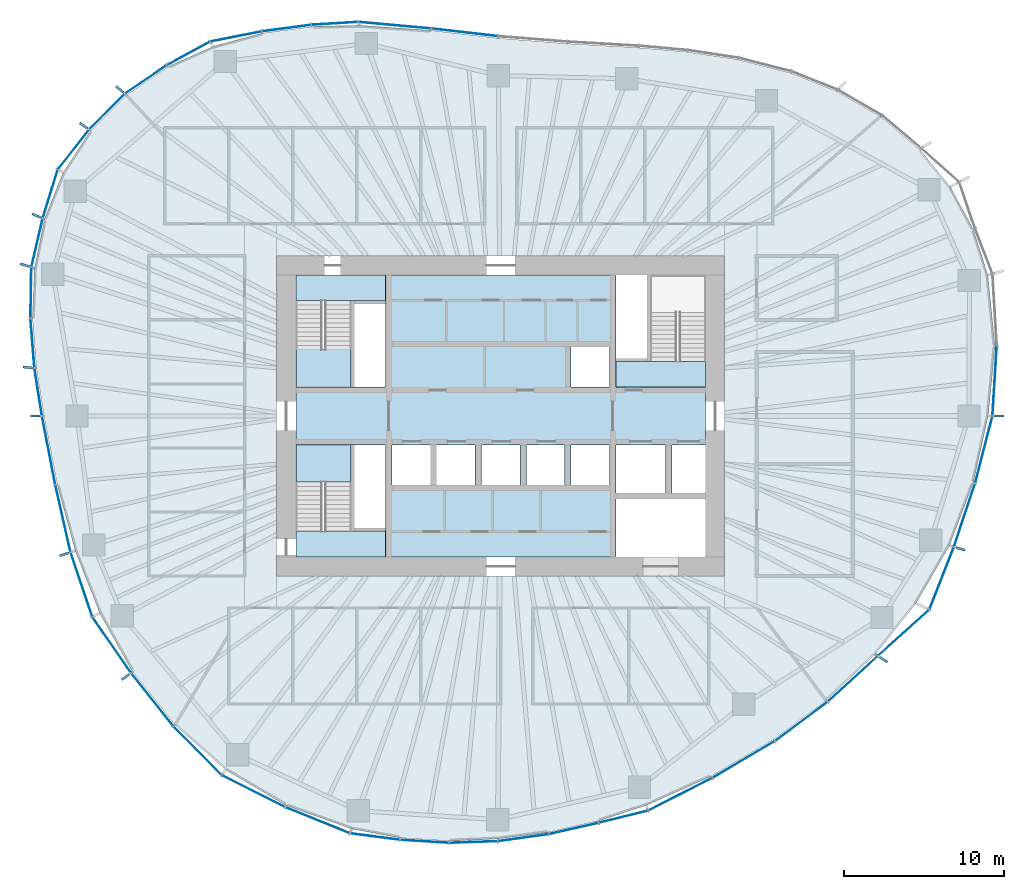
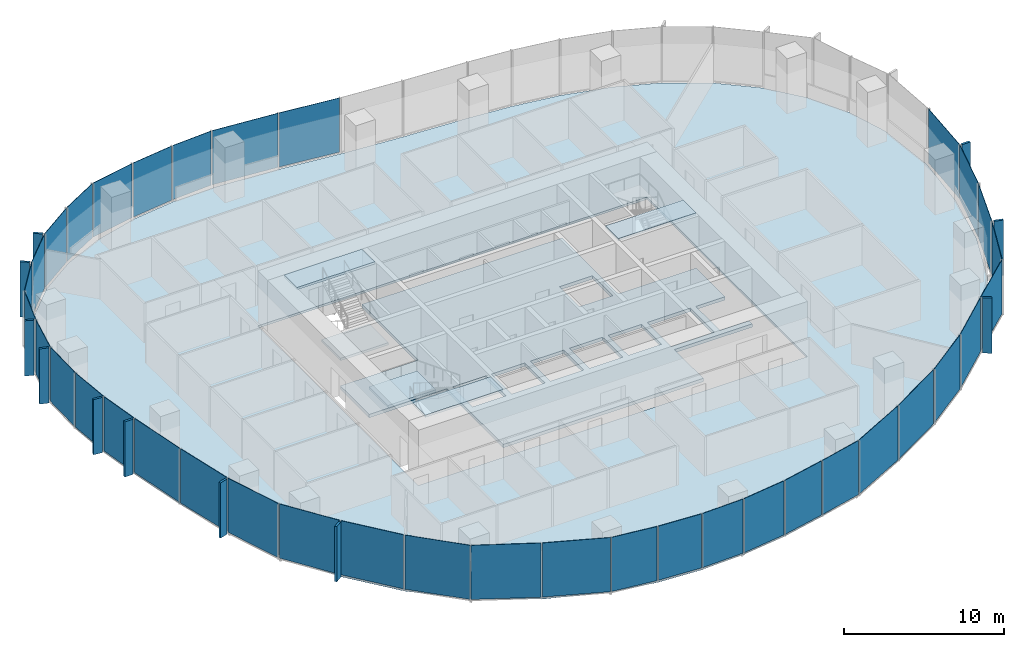
# One storey, part 7 of 18: 48 plates, 7 slabs, 19 elements without a shape of their own.
"""IFC4 building model written with IfcOpenShell, lengths in metres."""

from ifc_helpers import new_model, si_unit, direction, frame, origin, origin_2d, place, context, subcontext, project, spatial, polyline, rectangle, outline, extrude, material, layer, layer_set, type_object, element, aggregate, save


model = new_model("IFC4")

# Units and contexts
model_context = context("Model", 3, precision=1e-05, world=origin(), true_north=direction((0.0, 1.0)))
body_context = subcontext(model_context, "Body", "Model", "MODEL_VIEW")
ifc_project = project(units=[si_unit("LENGTHUNIT", "METRE"), si_unit("AREAUNIT", "SQUARE_METRE"), si_unit("VOLUMEUNIT", "CUBIC_METRE"), si_unit("PLANEANGLEUNIT", "RADIAN"), si_unit("MASSUNIT", "GRAM", prefix="KILO")], contexts=[model_context])

# Site, building, storey
site_placement = place(None, origin())
site = spatial("IfcSite", under=ifc_project, at=site_placement, CompositionType="ELEMENT")
building_placement = place(site_placement, origin())
building = spatial("IfcBuilding", under=site, at=building_placement, Name="Ghaith Harvest Tower", CompositionType="ELEMENT")
storey_placement = place(building_placement, frame((0.0, 0.0, 168.0)))
storey = spatial("IfcBuildingStorey", under=building, at=storey_placement, Name="L36", CompositionType="ELEMENT", Elevation=168.0)

# Curtain wall, plate
ifc_material_1 = material(Name="Black anodised aluminium and fritted glass", Category="aluminium")
curtain_wall_type = type_object("IfcCurtainWallType", Name="CW-L CURTAIN WALL", PredefinedType="NOTDEFINED", material=ifc_material_1)
curtain_wall_1_placement = place(storey_placement, origin())
curtain_wall_1 = element("IfcCurtainWall", 1, at=curtain_wall_1_placement, inside=storey, type_object=curtain_wall_type, Name="Curtain wall CW-L bay 01 L36", PredefinedType="NOTDEFINED")
ifc_material_2 = material(Name="Glass, dark solar-control fritted double glazed unit", Category="glass")
ifc_layer_1 = layer(ifc_material_2, 0.031982421875)
ifc_layer_set_1 = layer_set([ifc_layer_1], Name="CW-L VISION PANEL")
plate_type_1 = type_object("IfcPlateType", Name="CW-L VISION PANEL", PredefinedType="CURTAIN_PANEL", material=ifc_layer_set_1)
plate_1_placement = place(storey_placement, frame((30.86376953125, 2.19482421875, 0.079833984375), z_axis=(0.0, 0.0, 1.0), x_axis=(0.061379619468, 0.99811449359, 0.0)))
plate_1 = element("IfcPlate", 2, at=plate_1_placement, type_object=plate_type_1, Name="CW-L glass unit 1 bay 01 L36", PredefinedType="CURTAIN_PANEL", context=body_context, shape_type="SweptSolid", body=[
    extrude(rectangle(XDim=4.318115234375, YDim=0.031982421875, at=origin_2d()), origin(), (0.0, 0.0, 1.0), 4.1201171875),
])
aggregate(curtain_wall_1, [plate_1])

# Curtain wall, plates
curtain_wall_2_placement = place(storey_placement, origin())
curtain_wall_2 = element("IfcCurtainWall", 3, at=curtain_wall_2_placement, inside=storey, type_object=curtain_wall_type, Name="Curtain wall CW-L bay 06 L36", PredefinedType="NOTDEFINED")
plate_2_placement = place(storey_placement, frame((-2.24267578125, 23.968505859375, 0.079833984375), z_axis=(0.0, 0.0, 1.0), x_axis=(-0.993477024646, 0.114032458099, 0.0)))
plate_2 = element("IfcPlate", 4, at=plate_2_placement, type_object=plate_type_1, Name="CW-L glass unit 1 bay 06 L36", PredefinedType="CURTAIN_PANEL", context=body_context, shape_type="SweptSolid", body=[
    extrude(rectangle(XDim=4.10791015625, YDim=0.031982421875, at=origin_2d()), origin(), (0.0, 0.0, 1.0), 4.1201171875),
])
plate_3_placement = place(storey_placement, frame((-6.607666015625, 24.4140625, 0.079833984375), z_axis=(0.0, 0.0, 1.0), x_axis=(-0.995928776302, 0.090143621701, 0.0)))
plate_3 = element("IfcPlate", 5, at=plate_3_placement, type_object=plate_type_1, Name="CW-L glass unit 2 bay 06 L36", PredefinedType="CURTAIN_PANEL", context=body_context, shape_type="SweptSolid", body=[
    extrude(rectangle(XDim=4.508056640625, YDim=0.031982421875, at=origin_2d()), origin(), (0.0, 0.0, 1.0), 4.1201171875),
])
aggregate(curtain_wall_2, [plate_2, plate_3])

curtain_wall_3_placement = place(storey_placement, origin())
curtain_wall_3 = element("IfcCurtainWall", 6, at=curtain_wall_3_placement, inside=storey, type_object=curtain_wall_type, Name="Curtain wall CW-L bay 07 L36", PredefinedType="NOTDEFINED")
plate_4_placement = place(storey_placement, frame((-10.36669921875, 24.5302734375, 0.079833984375), z_axis=(0.0, 0.0, 1.0), x_axis=(-0.998119199641, -0.061303044853, 0.0)))
plate_4 = element("IfcPlate", 7, at=plate_4_placement, type_object=plate_type_1, Name="CW-L glass unit 1 bay 07 L36", PredefinedType="CURTAIN_PANEL", context=body_context, shape_type="SweptSolid", body=[
    extrude(rectangle(XDim=2.874267578125, YDim=0.031982421875, at=origin_2d()), origin(), (0.0, 0.0, 1.0), 4.1201171875),
])
plate_5_placement = place(storey_placement, frame((-13.382568359375, 24.23486328125, 0.079833984375), z_axis=(0.0, 0.0, 1.0), x_axis=(-0.991285895369, -0.131728029071, 0.0)))
plate_5 = element("IfcPlate", 8, at=plate_5_placement, type_object=plate_type_1, Name="CW-L glass unit 2 bay 07 L36", PredefinedType="CURTAIN_PANEL", context=body_context, shape_type="SweptSolid", body=[
    extrude(rectangle(XDim=3.02978515625, YDim=0.031982421875, at=origin_2d()), origin(), (0.0, 0.0, 1.0), 4.1201171875),
])
plate_6_placement = place(storey_placement, frame((-16.54443359375, 23.7099609375, 0.079833984375), z_axis=(0.0, 0.0, 1.0), x_axis=(-0.981037550101, -0.193817763096, 0.0)))
plate_6 = element("IfcPlate", 9, at=plate_6_placement, type_object=plate_type_1, Name="CW-L glass unit 3 bay 07 L36", PredefinedType="CURTAIN_PANEL", context=body_context, shape_type="SweptSolid", body=[
    extrude(rectangle(XDim=3.22412109375, YDim=0.031982421875, at=origin_2d()), origin(), (0.0, 0.0, 1.0), 4.1201171875),
])
aggregate(curtain_wall_3, [plate_4, plate_5, plate_6])

curtain_wall_4_placement = place(storey_placement, origin())
curtain_wall_4 = element("IfcCurtainWall", 10, at=curtain_wall_4_placement, inside=storey, type_object=curtain_wall_type, Name="Curtain wall CW-L bay 08 L36", PredefinedType="NOTDEFINED")
plate_7_placement = place(storey_placement, frame((-19.520263671875, 22.650634765625, 0.079833984375), z_axis=(0.0, 0.0, 1.0), x_axis=(-0.877940384665, -0.478769966659, 0.0)))
plate_7 = element("IfcPlate", 11, at=plate_7_placement, type_object=plate_type_1, Name="CW-L glass unit 1 bay 08 L36", PredefinedType="CURTAIN_PANEL", context=body_context, shape_type="SweptSolid", body=[
    extrude(rectangle(XDim=3.007080078125, YDim=0.031982421875, at=origin_2d()), origin(), (0.0, 0.0, 1.0), 4.1201171875),
])
plate_8_placement = place(storey_placement, frame((-22.182373046875, 21.025390625, 0.079833984375), z_axis=(0.0, 0.0, 1.0), x_axis=(-0.827674847773, -0.561207935051, 0.0)))
plate_8 = element("IfcPlate", 12, at=plate_8_placement, type_object=plate_type_1, Name="CW-L glass unit 2 bay 08 L36", PredefinedType="CURTAIN_PANEL", context=body_context, shape_type="SweptSolid", body=[
    extrude(rectangle(XDim=3.078369140625, YDim=0.031982421875, at=origin_2d()), origin(), (0.0, 0.0, 1.0), 4.1201171875),
])
plate_9_placement = place(storey_placement, frame((-24.603759765625, 19.01708984375, 0.079833984375), z_axis=(0.0, 0.0, 1.0), x_axis=(-0.704613943896, -0.709590861037, 0.0)))
plate_9 = element("IfcPlate", 13, at=plate_9_placement, type_object=plate_type_1, Name="CW-L glass unit 3 bay 08 L36", PredefinedType="CURTAIN_PANEL", context=body_context, shape_type="SweptSolid", body=[
    extrude(rectangle(XDim=3.0830078125, YDim=0.031982421875, at=origin_2d()), origin(), (0.0, 0.0, 1.0), 4.1201171875),
])
aggregate(curtain_wall_4, [plate_7, plate_8, plate_9])

curtain_wall_5_placement = place(storey_placement, origin())
curtain_wall_5 = element("IfcCurtainWall", 14, at=curtain_wall_5_placement, inside=storey, type_object=curtain_wall_type, Name="Curtain wall CW-L bay 09 L36", PredefinedType="NOTDEFINED")
plate_10_placement = place(storey_placement, frame((-26.69873046875, 16.644775390625, 0.079833984375), z_axis=(0.0, 0.0, 1.0), x_axis=(-0.617140806324, -0.786852734106, 0.0)))
plate_10 = element("IfcPlate", 15, at=plate_10_placement, type_object=plate_type_1, Name="CW-L glass unit 1 bay 09 L36", PredefinedType="CURTAIN_PANEL", context=body_context, shape_type="SweptSolid", body=[
    extrude(rectangle(XDim=3.09765625, YDim=0.031982421875, at=origin_2d()), origin(), (0.0, 0.0, 1.0), 4.1201171875),
])
plate_11_placement = place(storey_placement, frame((-28.14794921875, 13.869140625, 0.079833984375), z_axis=(0.0, 0.0, 1.0), x_axis=(-0.293802674087, -0.955866093498, 0.0)))
plate_11 = element("IfcPlate", 16, at=plate_11_placement, type_object=plate_type_1, Name="CW-L glass unit 2 bay 09 L36", PredefinedType="CURTAIN_PANEL", context=body_context, shape_type="SweptSolid", body=[
    extrude(rectangle(XDim=3.111328125, YDim=0.031982421875, at=origin_2d()), origin(), (0.0, 0.0, 1.0), 4.1201171875),
])
plate_12_placement = place(storey_placement, frame((-28.9716796875, 10.819091796875, 0.079833984375), z_axis=(0.0, 0.0, 1.0), x_axis=(-0.226698962458, -0.973964876379, 0.0)))
plate_12 = element("IfcPlate", 17, at=plate_12_placement, type_object=plate_type_1, Name="CW-L glass unit 3 bay 09 L36", PredefinedType="CURTAIN_PANEL", context=body_context, shape_type="SweptSolid", body=[
    extrude(rectangle(XDim=3.05126953125, YDim=0.031982421875, at=origin_2d()), origin(), (0.0, 0.0, 1.0), 4.1201171875),
])
aggregate(curtain_wall_5, [plate_10, plate_11, plate_12])

curtain_wall_6_placement = place(storey_placement, origin())
curtain_wall_6 = element("IfcCurtainWall", 18, at=curtain_wall_6_placement, inside=storey, type_object=curtain_wall_type, Name="Curtain wall CW-L bay 10 L36", PredefinedType="NOTDEFINED")
plate_13_placement = place(storey_placement, frame((-29.352294921875, 7.695068359375, 0.079833984375), z_axis=(0.0, 0.0, 1.0), x_axis=(-0.016034106433, -0.999871445452, 0.0)))
plate_13 = element("IfcPlate", 19, at=plate_13_placement, type_object=plate_type_1, Name="CW-L glass unit 1 bay 10 L36", PredefinedType="CURTAIN_PANEL", context=body_context, shape_type="SweptSolid", body=[
    extrude(rectangle(XDim=3.118408203125, YDim=0.031982421875, at=origin_2d()), origin(), (0.0, 0.0, 1.0), 4.1201171875),
])
plate_14_placement = place(storey_placement, frame((-29.25439453125, 4.54345703125, 0.079833984375), z_axis=(0.0, 0.0, 1.0), x_axis=(0.079273335663, -0.996852917061, 0.0)))
plate_14 = element("IfcPlate", 20, at=plate_14_placement, type_object=plate_type_1, Name="CW-L glass unit 2 bay 10 L36", PredefinedType="CURTAIN_PANEL", context=body_context, shape_type="SweptSolid", body=[
    extrude(rectangle(XDim=3.035400390625, YDim=0.031982421875, at=origin_2d()), origin(), (0.0, 0.0, 1.0), 4.1201171875),
])
plate_15_placement = place(storey_placement, frame((-28.896240234375, 1.495361328125, 0.079833984375), z_axis=(0.0, 0.0, 1.0), x_axis=(0.155172175389, -0.987887440949, 0.0)))
plate_15 = element("IfcPlate", 21, at=plate_15_placement, type_object=plate_type_1, Name="CW-L glass unit 3 bay 10 L36", PredefinedType="CURTAIN_PANEL", context=body_context, shape_type="SweptSolid", body=[
    extrude(rectangle(XDim=2.947265625, YDim=0.031982421875, at=origin_2d()), origin(), (0.0, 0.0, 1.0), 4.1201171875),
])
aggregate(curtain_wall_6, [plate_13, plate_14, plate_15])

curtain_wall_7_placement = place(storey_placement, origin())
curtain_wall_7 = element("IfcCurtainWall", 22, at=curtain_wall_7_placement, inside=storey, type_object=curtain_wall_type, Name="Curtain wall CW-L bay 11 L36", PredefinedType="NOTDEFINED")
plate_16_placement = place(storey_placement, frame((-28.24462890625, -2.152099609375, 0.079833984375), z_axis=(0.0, 0.0, 1.0), x_axis=(0.190044913274, -0.981775397399, 0.0)))
plate_16 = element("IfcPlate", 23, at=plate_16_placement, type_object=plate_type_1, Name="CW-L glass unit 1 bay 11 L36", PredefinedType="CURTAIN_PANEL", context=body_context, shape_type="SweptSolid", body=[
    extrude(rectangle(XDim=4.303955078125, YDim=0.031982421875, at=origin_2d()), origin(), (0.0, 0.0, 1.0), 4.1201171875),
])
plate_17_placement = place(storey_placement, frame((-27.351806640625, -6.41064453125, 0.079833984375), z_axis=(0.0, 0.0, 1.0), x_axis=(0.220483469245, -0.975390711351, 0.0)))
plate_17 = element("IfcPlate", 24, at=plate_17_placement, type_object=plate_type_1, Name="CW-L glass unit 2 bay 11 L36", PredefinedType="CURTAIN_PANEL", context=body_context, shape_type="SweptSolid", body=[
    extrude(rectangle(XDim=4.239501953125, YDim=0.031982421875, at=origin_2d()), origin(), (0.0, 0.0, 1.0), 4.1201171875),
])
aggregate(curtain_wall_7, [plate_16, plate_17])

curtain_wall_8_placement = place(storey_placement, origin())
curtain_wall_8 = element("IfcCurtainWall", 25, at=curtain_wall_8_placement, inside=storey, type_object=curtain_wall_type, Name="Curtain wall CW-L bay 12 L36", PredefinedType="NOTDEFINED")
plate_18_placement = place(storey_placement, frame((-26.194580078125, -10.537841796875, 0.079833984375), z_axis=(0.0, 0.0, 1.0), x_axis=(0.319477383729, -0.947593901039, 0.0)))
plate_18 = element("IfcPlate", 26, at=plate_18_placement, type_object=plate_type_1, Name="CW-L glass unit 1 bay 12 L36", PredefinedType="CURTAIN_PANEL", context=body_context, shape_type="SweptSolid", body=[
    extrude(rectangle(XDim=4.184326171875, YDim=0.031982421875, at=origin_2d()), origin(), (0.0, 0.0, 1.0), 4.1201171875),
])
plate_19_placement = place(storey_placement, frame((-24.3017578125, -14.312255859375, 0.079833984375), z_axis=(0.0, 0.0, 1.0), x_axis=(0.568347699633, -0.822788485774, 0.0)))
plate_19 = element("IfcPlate", 27, at=plate_19_placement, type_object=plate_type_1, Name="CW-L glass unit 2 bay 12 L36", PredefinedType="CURTAIN_PANEL", context=body_context, shape_type="SweptSolid", body=[
    extrude(rectangle(XDim=4.18359375, YDim=0.031982421875, at=origin_2d()), origin(), (0.0, 0.0, 1.0), 4.1201171875),
])
aggregate(curtain_wall_8, [plate_18, plate_19])

curtain_wall_9_placement = place(storey_placement, origin())
curtain_wall_9 = element("IfcCurtainWall", 28, at=curtain_wall_9_placement, inside=storey, type_object=curtain_wall_type, Name="Curtain wall CW-L bay 13 L36", PredefinedType="NOTDEFINED")
plate_20_placement = place(storey_placement, frame((-21.765625, -17.7314453125, 0.079833984375), z_axis=(0.0, 0.0, 1.0), x_axis=(0.622507360482, -0.782613944513, 0.0)))
plate_20 = element("IfcPlate", 29, at=plate_20_placement, type_object=plate_type_1, Name="CW-L glass unit 1 bay 13 L36", PredefinedType="CURTAIN_PANEL", context=body_context, shape_type="SweptSolid", body=[
    extrude(rectangle(XDim=4.175537109375, YDim=0.031982421875, at=origin_2d()), origin(), (0.0, 0.0, 1.0), 4.1201171875),
])
plate_21_placement = place(storey_placement, frame((-18.935791015625, -20.920166015625, 0.079833984375), z_axis=(0.0, 0.0, 1.0), x_axis=(0.702843151286, -0.711344856375, 0.0)))
plate_21 = element("IfcPlate", 30, at=plate_21_placement, type_object=plate_type_1, Name="CW-L glass unit 2 bay 13 L36", PredefinedType="CURTAIN_PANEL", context=body_context, shape_type="SweptSolid", body=[
    extrude(rectangle(XDim=4.203369140625, YDim=0.031982421875, at=origin_2d()), origin(), (0.0, 0.0, 1.0), 4.1201171875),
])
aggregate(curtain_wall_9, [plate_20, plate_21])

curtain_wall_10_placement = place(storey_placement, origin())
curtain_wall_10 = element("IfcCurtainWall", 31, at=curtain_wall_10_placement, inside=storey, type_object=curtain_wall_type, Name="Curtain wall CW-L bay 14 L36", PredefinedType="NOTDEFINED")
plate_22_placement = place(storey_placement, frame((-15.44677734375, -23.443115234375, 0.079833984375), z_axis=(0.0, 0.0, 1.0), x_axis=(0.893062297869, -0.449933030712, 0.0)))
plate_22 = element("IfcPlate", 32, at=plate_22_placement, type_object=plate_type_1, Name="CW-L glass unit 1 bay 14 L36", PredefinedType="CURTAIN_PANEL", context=body_context, shape_type="SweptSolid", body=[
    extrude(rectangle(XDim=4.362548828125, YDim=0.031982421875, at=origin_2d()), origin(), (0.0, 0.0, 1.0), 4.1201171875),
])
plate_23_placement = place(storey_placement, frame((-11.441162109375, -25.260498046875, 0.079833984375), z_axis=(0.0, 0.0, 1.0), x_axis=(0.927002522537, -0.375055093567, 0.0)))
plate_23 = element("IfcPlate", 33, at=plate_23_placement, type_object=plate_type_1, Name="CW-L glass unit 2 bay 14 L36", PredefinedType="CURTAIN_PANEL", context=body_context, shape_type="SweptSolid", body=[
    extrude(rectangle(XDim=4.282470703125, YDim=0.031982421875, at=origin_2d()), origin(), (0.0, 0.0, 1.0), 4.1201171875),
])
aggregate(curtain_wall_10, [plate_22, plate_23])

curtain_wall_11_placement = place(storey_placement, origin())
curtain_wall_11 = element("IfcCurtainWall", 34, at=curtain_wall_11_placement, inside=storey, type_object=curtain_wall_type, Name="Curtain wall CW-L bay 15 L36", PredefinedType="NOTDEFINED")
plate_24_placement = place(storey_placement, frame((-7.856689453125, -26.281005859375, 0.079833984375), z_axis=(0.0, 0.0, 1.0), x_axis=(0.99172348392, -0.128392100386, 0.0)))
plate_24 = element("IfcPlate", 35, at=plate_24_placement, type_object=plate_type_1, Name="CW-L glass unit 1 bay 15 L36", PredefinedType="CURTAIN_PANEL", context=body_context, shape_type="SweptSolid", body=[
    extrude(rectangle(XDim=3.07080078125, YDim=0.031982421875, at=origin_2d()), origin(), (0.0, 0.0, 1.0), 4.1201171875),
])
plate_25_placement = place(storey_placement, frame((-4.7568359375, -26.57958984375, 0.079833984375), z_axis=(0.0, 0.0, 1.0), x_axis=(0.998038280843, -0.062606628824, 0.0)))
plate_25 = element("IfcPlate", 36, at=plate_25_placement, type_object=plate_type_1, Name="CW-L glass unit 2 bay 15 L36", PredefinedType="CURTAIN_PANEL", context=body_context, shape_type="SweptSolid", body=[
    extrude(rectangle(XDim=3.001220703125, YDim=0.031982421875, at=origin_2d()), origin(), (0.0, 0.0, 1.0), 4.1201171875),
])
plate_26_placement = place(storey_placement, frame((-1.700439453125, -26.624755859375, 0.079833984375), z_axis=(0.0, 0.0, 1.0), x_axis=(0.999431515426, 0.033714180603, 0.0)))
plate_26 = element("IfcPlate", 37, at=plate_26_placement, type_object=plate_type_1, Name="CW-L glass unit 3 bay 15 L36", PredefinedType="CURTAIN_PANEL", context=body_context, shape_type="SweptSolid", body=[
    extrude(rectangle(XDim=2.958984375, YDim=0.031982421875, at=origin_2d()), origin(), (0.0, 0.0, 1.0), 4.1201171875),
])
aggregate(curtain_wall_11, [plate_24, plate_25, plate_26])

curtain_wall_12_placement = place(storey_placement, origin())
curtain_wall_12 = element("IfcCurtainWall", 38, at=curtain_wall_12_placement, inside=storey, type_object=curtain_wall_type, Name="Curtain wall CW-L bay 16 L36", PredefinedType="NOTDEFINED")
plate_27_placement = place(storey_placement, frame((1.4140625, -26.3515625, 0.079833984375), z_axis=(0.0, 0.0, 1.0), x_axis=(0.990448098003, 0.137886058621, 0.0)))
plate_27 = element("IfcPlate", 39, at=plate_27_placement, type_object=plate_type_1, Name="CW-L glass unit 1 bay 16 L36", PredefinedType="CURTAIN_PANEL", context=body_context, shape_type="SweptSolid", body=[
    extrude(rectangle(XDim=3.142578125, YDim=0.031982421875, at=origin_2d()), origin(), (0.0, 0.0, 1.0), 4.1201171875),
])
plate_28_placement = place(storey_placement, frame((4.565185546875, -25.77734375, 0.079833984375), z_axis=(0.0, 0.0, 1.0), x_axis=(0.975341754172, 0.220699937852, 0.0)))
plate_28 = element("IfcPlate", 40, at=plate_28_placement, type_object=plate_type_1, Name="CW-L glass unit 2 bay 16 L36", PredefinedType="CURTAIN_PANEL", context=body_context, shape_type="SweptSolid", body=[
    extrude(rectangle(XDim=3.10888671875, YDim=0.031982421875, at=origin_2d()), origin(), (0.0, 0.0, 1.0), 4.1201171875),
])
plate_29_placement = place(storey_placement, frame((7.66845703125, -25.0400390625, 0.079833984375), z_axis=(0.0, 0.0, 1.0), x_axis=(0.970384283801, 0.241566433413, 0.0)))
plate_29 = element("IfcPlate", 41, at=plate_29_placement, type_object=plate_type_1, Name="CW-L glass unit 3 bay 16 L36", PredefinedType="CURTAIN_PANEL", context=body_context, shape_type="SweptSolid", body=[
    extrude(rectangle(XDim=3.111083984375, YDim=0.031982421875, at=origin_2d()), origin(), (0.0, 0.0, 1.0), 4.1201171875),
])
aggregate(curtain_wall_12, [plate_27, plate_28, plate_29])

curtain_wall_13_placement = place(storey_placement, origin())
curtain_wall_13 = element("IfcCurtainWall", 42, at=curtain_wall_13_placement, inside=storey, type_object=curtain_wall_type, Name="Curtain wall CW-L bay 17 L36", PredefinedType="NOTDEFINED")
plate_30_placement = place(storey_placement, frame((11.220703125, -23.63427734375, 0.079833984375), z_axis=(0.0, 0.0, 1.0), x_axis=(0.891126766056, 0.453754434489, 0.0)))
plate_30 = element("IfcPlate", 43, at=plate_30_placement, type_object=plate_type_1, Name="CW-L glass unit 1 bay 17 L36", PredefinedType="CURTAIN_PANEL", context=body_context, shape_type="SweptSolid", body=[
    extrude(rectangle(XDim=4.417236328125, YDim=0.031982421875, at=origin_2d()), origin(), (0.0, 0.0, 1.0), 4.1201171875),
])
plate_31_placement = place(storey_placement, frame((15.17822265625, -21.46484375, 0.079833984375), z_axis=(0.0, 0.0, 1.0), x_axis=(0.861979497965, 0.506943137924, 0.0)))
plate_31 = element("IfcPlate", 44, at=plate_31_placement, type_object=plate_type_1, Name="CW-L glass unit 2 bay 17 L36", PredefinedType="CURTAIN_PANEL", context=body_context, shape_type="SweptSolid", body=[
    extrude(rectangle(XDim=4.453125, YDim=0.031982421875, at=origin_2d()), origin(), (0.0, 0.0, 1.0), 4.1201171875),
])
aggregate(curtain_wall_13, [plate_30, plate_31])

curtain_wall_14_placement = place(storey_placement, origin())
curtain_wall_14 = element("IfcCurtainWall", 45, at=curtain_wall_14_placement, inside=storey, type_object=curtain_wall_type, Name="Curtain wall CW-L bay 18 L36", PredefinedType="NOTDEFINED")
plate_32_placement = place(storey_placement, frame((18.78076171875, -19.08984375, 0.079833984375), z_axis=(0.0, 0.0, 1.0), x_axis=(0.802462370117, 0.596702727115, 0.0)))
plate_32 = element("IfcPlate", 46, at=plate_32_placement, type_object=plate_type_1, Name="CW-L glass unit 1 bay 18 L36", PredefinedType="CURTAIN_PANEL", context=body_context, shape_type="SweptSolid", body=[
    extrude(rectangle(XDim=4.029541015625, YDim=0.031982421875, at=origin_2d()), origin(), (0.0, 0.0, 1.0), 4.1201171875),
])
plate_33_placement = place(storey_placement, frame((21.9951171875, -16.428955078125, 0.079833984375), z_axis=(0.0, 0.0, 1.0), x_axis=(0.737201663563, 0.675672781189, 0.0)))
plate_33 = element("IfcPlate", 47, at=plate_33_placement, type_object=plate_type_1, Name="CW-L glass unit 2 bay 18 L36", PredefinedType="CURTAIN_PANEL", context=body_context, shape_type="SweptSolid", body=[
    extrude(rectangle(XDim=4.1669921875, YDim=0.031982421875, at=origin_2d()), origin(), (0.0, 0.0, 1.0), 4.1201171875),
])
aggregate(curtain_wall_14, [plate_32, plate_33])

curtain_wall_15_placement = place(storey_placement, origin())
curtain_wall_15 = element("IfcCurtainWall", 48, at=curtain_wall_15_placement, inside=storey, type_object=curtain_wall_type, Name="Curtain wall CW-L bay 19 L36", PredefinedType="NOTDEFINED")
plate_34_placement = place(storey_placement, frame((25.17333984375, -13.54345703125, 0.079833984375), z_axis=(0.0, 0.0, 1.0), x_axis=(0.743493028761, 0.668743684968, 0.0)))
plate_34 = element("IfcPlate", 49, at=plate_34_placement, type_object=plate_type_1, Name="CW-L glass unit 1 bay 19 L36", PredefinedType="CURTAIN_PANEL", context=body_context, shape_type="SweptSolid", body=[
    extrude(rectangle(XDim=4.2587890625, YDim=0.031982421875, at=origin_2d()), origin(), (0.0, 0.0, 1.0), 4.1201171875),
])
plate_35_placement = place(storey_placement, frame((27.552978515625, -10.138916015625, 0.079833984375), z_axis=(0.0, 0.0, 1.0), x_axis=(0.365226458984, 0.930918704108, 0.0)))
plate_35 = element("IfcPlate", 50, at=plate_35_placement, type_object=plate_type_1, Name="CW-L glass unit 2 bay 19 L36", PredefinedType="CURTAIN_PANEL", context=body_context, shape_type="SweptSolid", body=[
    extrude(rectangle(XDim=4.11767578125, YDim=0.031982421875, at=origin_2d()), origin(), (0.0, 0.0, 1.0), 4.1201171875),
])
aggregate(curtain_wall_15, [plate_34, plate_35])

curtain_wall_16_placement = place(storey_placement, origin())
curtain_wall_16 = element("IfcCurtainWall", 51, at=curtain_wall_16_placement, inside=storey, type_object=curtain_wall_type, Name="Curtain wall CW-L bay 20 L36", PredefinedType="NOTDEFINED")
plate_36_placement = place(storey_placement, frame((28.982666015625, -6.191650390625, 0.079833984375), z_axis=(0.0, 0.0, 1.0), x_axis=(0.315708038084, 0.948856382541, 0.0)))
plate_36 = element("IfcPlate", 52, at=plate_36_placement, type_object=plate_type_1, Name="CW-L glass unit 1 bay 20 L36", PredefinedType="CURTAIN_PANEL", context=body_context, shape_type="SweptSolid", body=[
    extrude(rectangle(XDim=4.12158203125, YDim=0.031982421875, at=origin_2d()), origin(), (0.0, 0.0, 1.0), 4.1201171875),
])
plate_37_placement = place(storey_placement, frame((30.187255859375, -2.09912109375, 0.079833984375), z_axis=(0.0, 0.0, 1.0), x_axis=(0.24974411022, 0.968311870944, 0.0)))
plate_37 = element("IfcPlate", 53, at=plate_37_placement, type_object=plate_type_1, Name="CW-L glass unit 2 bay 20 L36", PredefinedType="CURTAIN_PANEL", context=body_context, shape_type="SweptSolid", body=[
    extrude(rectangle(XDim=4.255615234375, YDim=0.031982421875, at=origin_2d()), origin(), (0.0, 0.0, 1.0), 4.1201171875),
])
aggregate(curtain_wall_16, [plate_36, plate_37])

# Slabs
ifc_material_3 = material(Name="Concrete C40/50", Category="concrete")
ifc_layer_2 = layer(ifc_material_3, 0.169921875)
ifc_layer_set_2 = layer_set([ifc_layer_2], Name="FLOOR SLAB 170")
slab_type_1 = type_object("IfcSlabType", Name="FLOOR SLAB 170", PredefinedType="FLOOR", material=ifc_layer_set_2)
slab_1_placement = place(storey_placement, frame((0.0, 0.0, -0.169921875)))
element("IfcSlab", 54, at=slab_1_placement, inside=storey, type_object=slab_type_1, Name="Floor slab L36", PredefinedType="FLOOR", context=body_context, shape_type="SweptSolid", body=[
    extrude(outline(polyline([(30.458740234375, 0.0), (30.8798828125, 4.373046875), (30.439208984375, 8.797607421875), (29.52294921875, 11.671875), (28.0888671875, 14.32568359375), (26.179443359375, 16.660888671875), (23.7275390625, 18.718017578125), (20.97998046875, 20.3056640625), (18.0849609375, 21.4462890625), (14.79833984375, 22.27978515625), (11.617919921875, 22.757080078125), (8.604736328125, 23.017333984375), (4.125732421875, 23.272705078125), (-0.16162109375, 23.609619140625), (-4.302001953125, 24.089111328125), (-8.814208984375, 24.404541015625), (-11.788818359375, 24.331787109375), (-14.860595703125, 23.927978515625), (-17.938232421875, 23.097412109375), (-20.79248046875, 21.82470703125), (-23.398193359375, 20.06103515625), (-25.61962890625, 17.826416015625), (-27.33837890625, 15.204833984375), (-28.506591796875, 12.29638671875), (-29.12646484375, 9.230712890625), (-29.260498046875, 6.07177734375), (-29.01171875, 2.978271484375), (-28.541259765625, 0.0), (-27.70947265625, -4.285888671875), (-26.580078125, -8.423583984375), (-25.046875, -12.32861328125), (-22.99169921875, -15.997802734375), (-20.35400390625, -19.31396484375), (-17.1728515625, -22.11181640625), (-13.4052734375, -24.33740234375), (-9.317138671875, -25.79638671875), (-6.2666015625, -26.366455078125), (-3.204833984375, -26.556884765625), (-0.180908203125, -26.423583984375), (2.99609375, -26.010009765625), (6.09228515625, -25.308837890625), (9.09423828125, -24.326904296875), (13.163818359375, -22.510498046875), (17.054443359375, -20.22412109375), (20.33935546875, -17.784912109375), (23.400390625, -14.89208984375), (25.94775390625, -11.714111328125), (28.03125, -8.1015625), (29.527099609375, -4.181396484375), (30.458740234375, 0.0)]), holes=[polyline([(-14.0, -10.0), (14.0, -10.0), (14.0, 10.0), (-14.0, 10.0), (-14.0, -10.0)])]), origin(), (0.0, 0.0, 1.0), 0.169921875),
])
ifc_material_4 = material(Name="Concrete C40/50", Category="concrete")
ifc_layer_3 = layer(ifc_material_4, 0.25)
ifc_layer_set_3 = layer_set([ifc_layer_3], Name="FLOOR SLAB 250")
slab_type_2 = type_object("IfcSlabType", Name="FLOOR SLAB 250", PredefinedType="FLOOR", material=ifc_layer_set_3)
slab_2_placement = place(storey_placement, frame((0.0, 0.0, -0.25)))
element("IfcSlab", 55, at=slab_2_placement, inside=storey, type_object=slab_type_2, Name="Core slab L36", PredefinedType="FLOOR", context=body_context, shape_type="SweptSolid", body=[
    extrude(outline(polyline([(-12.800048828125, 1.800048828125), (-7.199951171875, 1.800048828125), (-7.199951171875, 8.800048828125), (7.199951171875, 8.800048828125), (7.199951171875, 1.800048828125), (12.800048828125, 1.800048828125), (12.800048828125, -1.800048828125), (10.699951171875, -1.800048828125), (10.699951171875, -4.800048828125), (12.800048828125, -4.800048828125), (12.800048828125, -5.199951171875), (7.199951171875, -5.199951171875), (7.199951171875, -8.800048828125), (-7.199951171875, -8.800048828125), (-7.199951171875, -1.800048828125), (-12.800048828125, -1.800048828125), (-12.800048828125, 1.800048828125)]), holes=[polyline([(-4.39990234375, -4.300048828125), (-4.39990234375, -1.800048828125), (-6.800048828125, -1.800048828125), (-6.800048828125, -4.300048828125), (-4.39990234375, -4.300048828125)]), polyline([(-1.60009765625, -4.300048828125), (-1.60009765625, -1.800048828125), (-4.0, -1.800048828125), (-4.0, -4.300048828125), (-1.60009765625, -4.300048828125)]), polyline([(1.199951171875, -1.800048828125), (-1.199951171875, -1.800048828125), (-1.199951171875, -4.300048828125), (1.199951171875, -4.300048828125), (1.199951171875, -1.800048828125)]), polyline([(4.0, -4.300048828125), (4.0, -1.800048828125), (1.60009765625, -1.800048828125), (1.60009765625, -4.300048828125), (4.0, -4.300048828125)]), polyline([(10.300048828125, -4.800048828125), (10.300048828125, -1.800048828125), (7.199951171875, -1.800048828125), (7.199951171875, -4.800048828125), (10.300048828125, -4.800048828125)]), polyline([(6.800048828125, -1.800048828125), (4.39990234375, -1.800048828125), (4.39990234375, -4.300048828125), (6.800048828125, -4.300048828125), (6.800048828125, -1.800048828125)]), polyline([(6.800048828125, 1.800048828125), (6.800048828125, 4.300048828125), (4.39990234375, 4.300048828125), (4.39990234375, 1.800048828125), (6.800048828125, 1.800048828125)])]), origin(), (0.0, 0.0, 1.0), 0.25),
])

# Stair, slabs
ifc_material_5 = material(Name="Concrete C40/50, precast", Category="concrete")
stair_type = type_object("IfcStairType", Name="CORE STAIR 24R", PredefinedType="HALF_TURN_STAIR", material=ifc_material_5)
stair_1_placement = place(storey_placement, origin())
stair_1 = element("IfcStair", 56, at=stair_1_placement, inside=storey, type_object=stair_type, Name="Stair ST1 L36", PredefinedType="HALF_TURN_STAIR")
ifc_material_6 = material(Name="Concrete C40/50, precast", Category="concrete")
ifc_layer_4 = layer(ifc_material_6, 0.179931640625)
ifc_layer_set_4 = layer_set([ifc_layer_4], Name="STAIR LANDING 180")
slab_type_3 = type_object("IfcSlabType", Name="STAIR LANDING 180", PredefinedType="LANDING", material=ifc_layer_set_4)
slab_3_placement = place(storey_placement, frame((0.0, 0.0, 1.919921875)))
slab_3 = element("IfcSlab", 57, at=slab_3_placement, type_object=slab_type_3, Name="ST1 landing 1", PredefinedType="LANDING", context=body_context, shape_type="SweptSolid", body=[
    extrude(outline(polyline([(-12.800048828125, 4.139892578125), (-12.800048828125, 1.77490234375), (-9.35009765625, 1.77490234375), (-9.35009765625, 4.139892578125), (-12.800048828125, 4.139892578125)])), origin(), (0.0, 0.0, 1.0), 0.18017578125),
])
slab_4_placement = place(storey_placement, frame((0.0, 0.0, 4.02001953125)))
slab_4 = element("IfcSlab", 58, at=slab_4_placement, type_object=slab_type_3, Name="ST1 landing 2", PredefinedType="LANDING", context=body_context, shape_type="SweptSolid", body=[
    extrude(outline(polyline([(-12.800048828125, 8.800048828125), (-12.800048828125, 7.199951171875), (-7.199951171875, 7.199951171875), (-7.199951171875, 8.800048828125), (-12.800048828125, 8.800048828125)])), origin(), (0.0, 0.0, 1.0), 0.179931640625),
])
aggregate(stair_1, [slab_3, slab_4])

stair_2_placement = place(storey_placement, origin())
stair_2 = element("IfcStair", 59, at=stair_2_placement, inside=storey, type_object=stair_type, Name="Stair ST3 L36", PredefinedType="HALF_TURN_STAIR")
slab_5_placement = place(storey_placement, frame((0.0, 0.0, 1.919921875)))
slab_5 = element("IfcSlab", 60, at=slab_5_placement, type_object=slab_type_3, Name="ST3 landing 1", PredefinedType="LANDING", context=body_context, shape_type="SweptSolid", body=[
    extrude(outline(polyline([(-12.800048828125, -4.139892578125), (-12.800048828125, -1.77490234375), (-9.35009765625, -1.77490234375), (-9.35009765625, -4.139892578125), (-12.800048828125, -4.139892578125)])), origin(), (0.0, 0.0, 1.0), 0.18017578125),
])
slab_6_placement = place(storey_placement, frame((0.0, 0.0, 4.02001953125)))
slab_6 = element("IfcSlab", 61, at=slab_6_placement, type_object=slab_type_3, Name="ST3 landing 2", PredefinedType="LANDING", context=body_context, shape_type="SweptSolid", body=[
    extrude(outline(polyline([(-12.800048828125, -8.800048828125), (-12.800048828125, -7.199951171875), (-7.199951171875, -7.199951171875), (-7.199951171875, -8.800048828125), (-12.800048828125, -8.800048828125)])), origin(), (0.0, 0.0, 1.0), 0.179931640625),
])
aggregate(stair_2, [slab_5, slab_6])

# Stair, slab
stair_3_placement = place(storey_placement, origin())
stair_3 = element("IfcStair", 62, at=stair_3_placement, inside=storey, type_object=stair_type, Name="Stair ST2 L36", PredefinedType="HALF_TURN_STAIR")
slab_7_placement = place(storey_placement, frame((0.0, 0.0, 4.02001953125)))
slab_7 = element("IfcSlab", 63, at=slab_7_placement, type_object=slab_type_3, Name="ST2 landing 2", PredefinedType="LANDING", context=body_context, shape_type="SweptSolid", body=[
    extrude(outline(polyline([(12.800048828125, 1.800048828125), (12.800048828125, 3.39990234375), (7.199951171875, 3.39990234375), (7.199951171875, 1.800048828125), (12.800048828125, 1.800048828125)])), origin(), (0.0, 0.0, 1.0), 0.179931640625),
])
aggregate(stair_3, [slab_7])

# Plates
ifc_material_7 = material(Name="Glassfibre-reinforced concrete", Category="concrete")
ifc_layer_5 = layer(ifc_material_7, 0.14990234375)
ifc_layer_set_5 = layer_set([ifc_layer_5], Name="SUN-BREAKER FIN 600x150")
plate_type_2 = type_object("IfcPlateType", Name="SUN-BREAKER FIN 600x150", PredefinedType="USERDEFINED", material=ifc_layer_set_5)
for number, where, z_axis, x_axis, name in (
    (64, (31.148681640625, 0.0, 0.0), (0.0, 0.0, 1.0), (1.0, 0.0, 0.0), "Sun-breaker fin CW-L 1 bay 01 L36"),
    (65, (-23.808349609375, 20.41259765625, 0.0), (0.0, 0.0, 1.0), (-0.759169742643, 0.650892696115, 0.0), "Sun-breaker fin CW-L 3 bay 08 L36"),
    (66, (-26.06298828125, 18.134765625, 0.0), (0.0, 0.0, 1.0), (-0.820845486523, 0.571150319316, 0.0), "Sun-breaker fin CW-L 1 bay 09 L36"),
    (67, (-29.00244140625, 12.51025390625, 0.0), (0.0, 0.0, 1.0), (-0.918217993215, 0.396075392995, 0.0), "Sun-breaker fin CW-L 3 bay 09 L36"),
    (68, (-29.72705078125, 9.4208984375, 0.0), (0.0, 0.0, 1.0), (-0.953273219358, 0.302109531884, 0.0), "Sun-breaker fin CW-L 1 bay 10 L36"),
    (69, (-29.548828125, 3.033447265625, 0.0), (0.0, 0.0, 1.0), (-0.994771752973, 0.102123256344, 0.0), "Sun-breaker fin CW-L 3 bay 10 L36"),
    (70, (-29.081298828125, 0.0, 0.0), (0.0, 0.0, 1.0), (-1.0, -4.19e-10, 0.0), "Sun-breaker fin CW-L 1 bay 11 L36"),
    (71, (-27.276123046875, -8.644287109375, 0.0), (0.0, 0.0, 1.0), (-0.953273219416, -0.302109531701, 0.0), "Sun-breaker fin CW-L 1 bay 12 L36"),
    (72, (-23.434814453125, -16.30615234375, 0.0), (0.0, 0.0, 1.0), (-0.820845486622, -0.571150319173, 0.0), "Sun-breaker fin CW-L 1 bay 13 L36"),
    (73, (23.914794921875, -15.2197265625, 0.0), (0.0, 0.0, 1.0), (0.84364397137, -0.536903016913, 0.0), "Sun-breaker fin CW-L 1 bay 19 L36"),
    (74, (28.722900390625, -8.301513671875, 0.0), (0.0, 0.0, 1.0), (0.960680349932, -0.277656739976, 0.0), "Sun-breaker fin CW-L 1 bay 20 L36"),
):
    element("IfcPlate", number, at=place(storey_placement, frame(where, z_axis=z_axis, x_axis=x_axis)), inside=storey, type_object=plate_type_2, Name=name, ObjectType="SUN-BREAKER FIN", PredefinedType="USERDEFINED", context=body_context, shape_type="SweptSolid", body=[
        extrude(rectangle(XDim=0.60009765625, YDim=0.14990234375, at=origin_2d()), origin(), (0.0, 0.0, 1.0), 4.199951171875),
    ])

save(model, "model.ifc")
